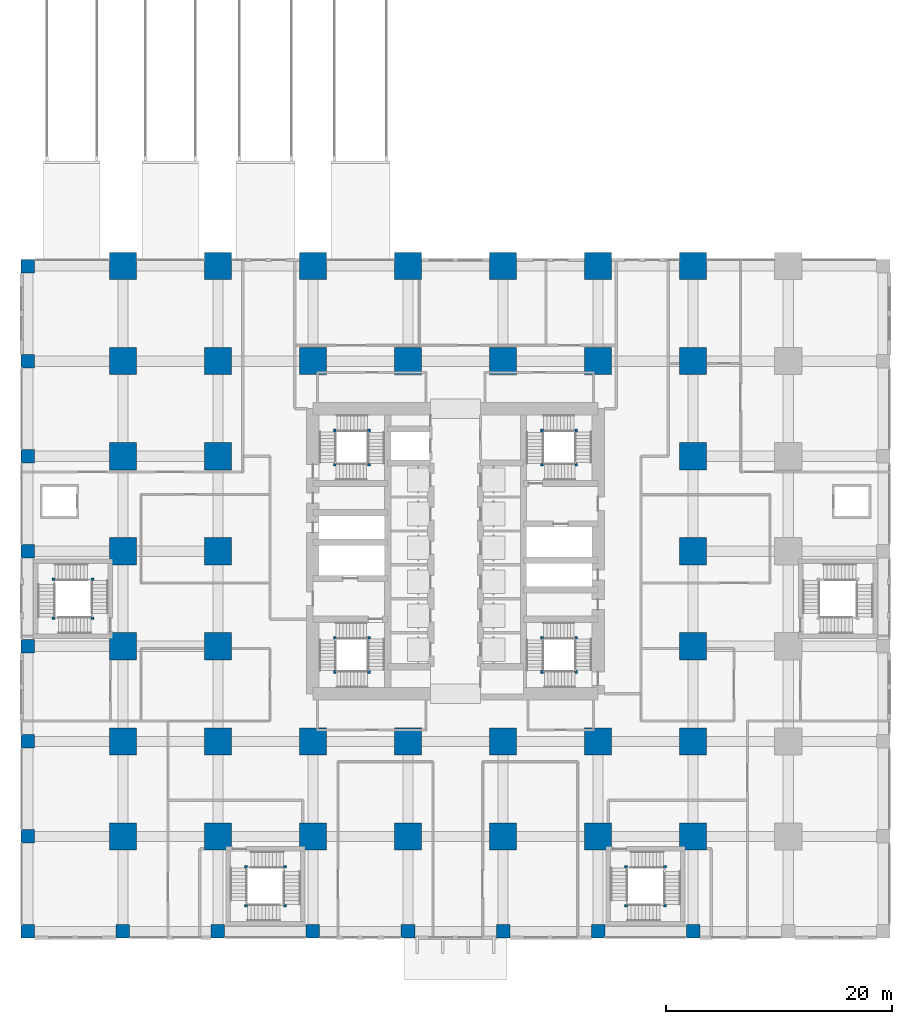
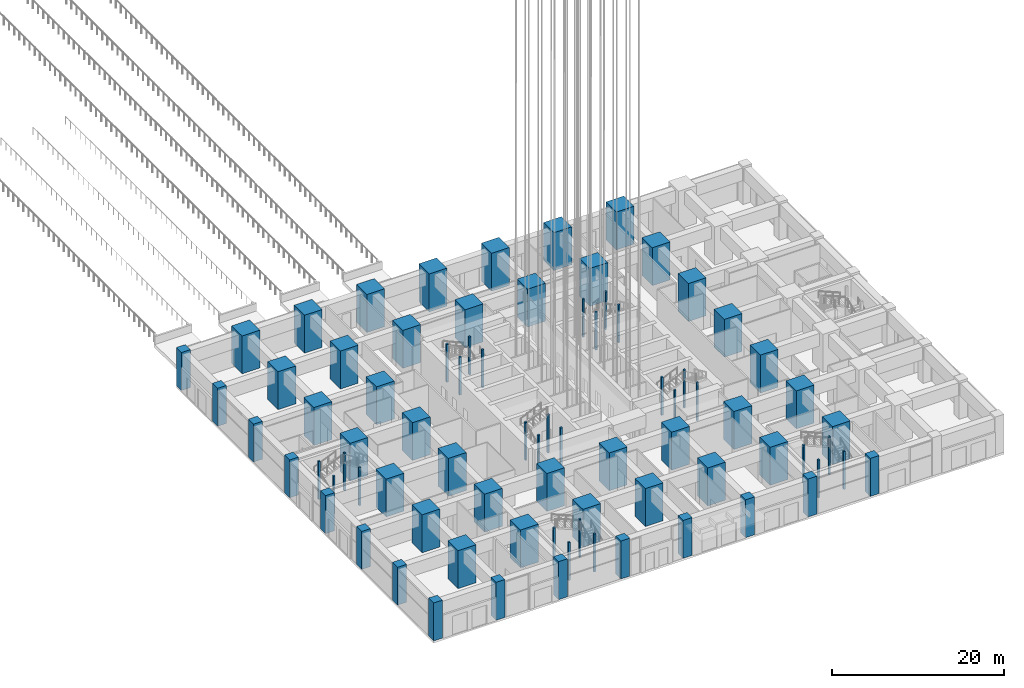
# One storey, part 1 of 81: 80 columns.
"""IFC4 building model written with IfcOpenShell, lengths in metres."""

from ifc_helpers import new_model, si_unit, direction, frame, origin, origin_2d, place, context, subcontext, project, spatial, rectangle, extrude, material, material_profile, profile_set, type_object, element, save


model = new_model("IFC4")

# Units and contexts
model_context = context("Model", 3, precision=1e-05, world=origin(), true_north=direction((0.0, 1.0)))
body_context = subcontext(model_context, "Body", "Model", "MODEL_VIEW")
ifc_project = project(units=[si_unit("LENGTHUNIT", "METRE"), si_unit("AREAUNIT", "SQUARE_METRE"), si_unit("VOLUMEUNIT", "CUBIC_METRE"), si_unit("PLANEANGLEUNIT", "RADIAN"), si_unit("MASSUNIT", "GRAM", prefix="KILO")], contexts=[model_context])

# Site, building, storey
site_placement = place(None, origin())
site = spatial("IfcSite", under=ifc_project, at=site_placement, CompositionType="ELEMENT")
building_placement = place(site_placement, origin())
building = spatial("IfcBuilding", under=site, at=building_placement, Name="Rekha Terrace Tower", CompositionType="ELEMENT")
storey_placement = place(building_placement, origin())
storey = spatial("IfcBuildingStorey", under=building, at=storey_placement, Name="L00", CompositionType="ELEMENT", Elevation=0.0)

# Columns
ifc_material_1 = material(Name="Concrete M70", Category="concrete")
ifc_material_profile_1 = material_profile(ifc_material_1, rectangle(XDim=2.39990234375, YDim=2.39990234375, at=origin_2d()), Name="RC 2400x2400")
ifc_profile_set_1 = profile_set([ifc_material_profile_1], Name="Concrete M70")
column_type_1 = type_object("IfcColumnType", Name="C1 2400x2400 column", PredefinedType="COLUMN", material=ifc_profile_set_1)
for number, where, z_axis, x_axis, name in (
    (1, (8.39990234375, 8.39990234375, 0.0), (0.0, 0.0, 1.0), (1.0, 0.0, 0.0), "Column C1 2/B L00"),
    (2, (8.39990234375, 16.800048828125, 0.0), (0.0, 0.0, 1.0), (1.0, 0.0, 0.0), "Column C1 2/C L00"),
    (3, (8.39990234375, 25.199951171875, 0.0), (0.0, 0.0, 1.0), (1.0, 0.0, 0.0), "Column C1 2/D L00"),
    (4, (8.39990234375, 33.60009765625, 0.0), (0.0, 0.0, 1.0), (1.0, 0.0, 0.0), "Column C1 2/E L00"),
    (5, (8.39990234375, 42.0, 0.0), (0.0, 0.0, 1.0), (1.0, 0.0, 0.0), "Column C1 2/F L00"),
    (6, (8.39990234375, 50.39990234375, 0.0), (0.0, 0.0, 1.0), (1.0, 0.0, 0.0), "Column C1 2/G L00"),
    (7, (8.39990234375, 58.800048828125, 0.0), (0.0, 0.0, 1.0), (1.0, 0.0, 0.0), "Column C1 2/H L00"),
    (8, (16.800048828125, 8.39990234375, 0.0), (0.0, 0.0, 1.0), (1.0, 0.0, 0.0), "Column C1 3/B L00"),
    (9, (16.800048828125, 16.800048828125, 0.0), (0.0, 0.0, 1.0), (1.0, 0.0, 0.0), "Column C1 3/C L00"),
    (10, (16.800048828125, 25.199951171875, 0.0), (0.0, 0.0, 1.0), (1.0, 0.0, 0.0), "Column C1 3/D L00"),
    (11, (16.800048828125, 33.60009765625, 0.0), (0.0, 0.0, 1.0), (1.0, 0.0, 0.0), "Column C1 3/E L00"),
    (12, (16.800048828125, 42.0, 0.0), (0.0, 0.0, 1.0), (1.0, 0.0, 0.0), "Column C1 3/F L00"),
    (13, (16.800048828125, 50.39990234375, 0.0), (0.0, 0.0, 1.0), (1.0, 0.0, 0.0), "Column C1 3/G L00"),
    (14, (16.800048828125, 58.800048828125, 0.0), (0.0, 0.0, 1.0), (1.0, 0.0, 0.0), "Column C1 3/H L00"),
    (15, (25.199951171875, 8.39990234375, 0.0), (0.0, 0.0, 1.0), (1.0, 0.0, 0.0), "Column C1 4/B L00"),
    (16, (25.199951171875, 16.800048828125, 0.0), (0.0, 0.0, 1.0), (1.0, 0.0, 0.0), "Column C1 4/C L00"),
    (17, (25.199951171875, 50.39990234375, 0.0), (0.0, 0.0, 1.0), (1.0, 0.0, 0.0), "Column C1 4/G L00"),
    (18, (25.199951171875, 58.800048828125, 0.0), (0.0, 0.0, 1.0), (1.0, 0.0, 0.0), "Column C1 4/H L00"),
    (19, (33.60009765625, 8.39990234375, 0.0), (0.0, 0.0, 1.0), (1.0, 0.0, 0.0), "Column C1 5/B L00"),
    (20, (33.60009765625, 16.800048828125, 0.0), (0.0, 0.0, 1.0), (1.0, 0.0, 0.0), "Column C1 5/C L00"),
    (21, (33.60009765625, 50.39990234375, 0.0), (0.0, 0.0, 1.0), (1.0, 0.0, 0.0), "Column C1 5/G L00"),
    (22, (33.60009765625, 58.800048828125, 0.0), (0.0, 0.0, 1.0), (1.0, 0.0, 0.0), "Column C1 5/H L00"),
    (23, (42.0, 8.39990234375, 0.0), (0.0, 0.0, 1.0), (1.0, 0.0, 0.0), "Column C1 6/B L00"),
    (24, (42.0, 16.800048828125, 0.0), (0.0, 0.0, 1.0), (1.0, 0.0, 0.0), "Column C1 6/C L00"),
    (25, (42.0, 50.39990234375, 0.0), (0.0, 0.0, 1.0), (1.0, 0.0, 0.0), "Column C1 6/G L00"),
    (26, (42.0, 58.800048828125, 0.0), (0.0, 0.0, 1.0), (1.0, 0.0, 0.0), "Column C1 6/H L00"),
    (27, (50.39990234375, 8.39990234375, 0.0), (0.0, 0.0, 1.0), (1.0, 0.0, 0.0), "Column C1 7/B L00"),
    (28, (50.39990234375, 16.800048828125, 0.0), (0.0, 0.0, 1.0), (1.0, 0.0, 0.0), "Column C1 7/C L00"),
    (29, (50.39990234375, 50.39990234375, 0.0), (0.0, 0.0, 1.0), (1.0, 0.0, 0.0), "Column C1 7/G L00"),
    (30, (50.39990234375, 58.800048828125, 0.0), (0.0, 0.0, 1.0), (1.0, 0.0, 0.0), "Column C1 7/H L00"),
    (31, (58.800048828125, 8.39990234375, 0.0), (0.0, 0.0, 1.0), (1.0, 0.0, 0.0), "Column C1 8/B L00"),
    (32, (58.800048828125, 16.800048828125, 0.0), (0.0, 0.0, 1.0), (1.0, 0.0, 0.0), "Column C1 8/C L00"),
    (33, (58.800048828125, 25.199951171875, 0.0), (0.0, 0.0, 1.0), (1.0, 0.0, 0.0), "Column C1 8/D L00"),
    (34, (58.800048828125, 33.60009765625, 0.0), (0.0, 0.0, 1.0), (1.0, 0.0, 0.0), "Column C1 8/E L00"),
    (35, (58.800048828125, 42.0, 0.0), (0.0, 0.0, 1.0), (1.0, 0.0, 0.0), "Column C1 8/F L00"),
    (36, (58.800048828125, 50.39990234375, 0.0), (0.0, 0.0, 1.0), (1.0, 0.0, 0.0), "Column C1 8/G L00"),
    (37, (58.800048828125, 58.800048828125, 0.0), (0.0, 0.0, 1.0), (1.0, 0.0, 0.0), "Column C1 8/H L00"),
):
    element("IfcColumn", number, at=place(storey_placement, frame(where, z_axis=z_axis, x_axis=x_axis)), inside=storey, type_object=column_type_1, Name=name, PredefinedType="COLUMN", context=body_context, shape_type="SweptSolid", body=[
        extrude(rectangle(XDim=2.39990234375, YDim=2.39990234375, at=origin_2d()), origin(), (0.0, 0.0, 1.0), 5.39990234375),
    ])
ifc_material_2 = material(Name="Concrete M60", Category="concrete")
ifc_material_profile_2 = material_profile(ifc_material_2, rectangle(XDim=1.199951171875, YDim=1.199951171875, at=origin_2d()), Name="RC 1200x1200")
ifc_profile_set_2 = profile_set([ifc_material_profile_2], Name="Concrete M60")
column_type_2 = type_object("IfcColumnType", Name="C6 1200x1200 podium column", PredefinedType="COLUMN", material=ifc_profile_set_2)
for number, where, z_axis, x_axis, name in (
    (38, (0.0, 0.0, 0.0), (0.0, 0.0, 1.0), (1.0, 0.0, 0.0), "Column C6 1/A L00"),
    (39, (0.0, 8.39990234375, 0.0), (0.0, 0.0, 1.0), (1.0, 0.0, 0.0), "Column C6 1/B L00"),
    (40, (0.0, 16.800048828125, 0.0), (0.0, 0.0, 1.0), (1.0, 0.0, 0.0), "Column C6 1/C L00"),
    (41, (0.0, 25.199951171875, 0.0), (0.0, 0.0, 1.0), (1.0, 0.0, 0.0), "Column C6 1/D L00"),
    (42, (0.0, 33.60009765625, 0.0), (0.0, 0.0, 1.0), (1.0, 0.0, 0.0), "Column C6 1/E L00"),
    (43, (0.0, 42.0, 0.0), (0.0, 0.0, 1.0), (1.0, 0.0, 0.0), "Column C6 1/F L00"),
    (44, (0.0, 50.39990234375, 0.0), (0.0, 0.0, 1.0), (1.0, 0.0, 0.0), "Column C6 1/G L00"),
    (45, (0.0, 58.800048828125, 0.0), (0.0, 0.0, 1.0), (1.0, 0.0, 0.0), "Column C6 1/H L00"),
    (46, (8.39990234375, 0.0, 0.0), (0.0, 0.0, 1.0), (1.0, 0.0, 0.0), "Column C6 2/A L00"),
    (47, (16.800048828125, 0.0, 0.0), (0.0, 0.0, 1.0), (1.0, 0.0, 0.0), "Column C6 3/A L00"),
    (48, (25.199951171875, 0.0, 0.0), (0.0, 0.0, 1.0), (1.0, 0.0, 0.0), "Column C6 4/A L00"),
    (49, (33.60009765625, 0.0, 0.0), (0.0, 0.0, 1.0), (1.0, 0.0, 0.0), "Column C6 5/A L00"),
    (50, (42.0, 0.0, 0.0), (0.0, 0.0, 1.0), (1.0, 0.0, 0.0), "Column C6 6/A L00"),
    (51, (50.39990234375, 0.0, 0.0), (0.0, 0.0, 1.0), (1.0, 0.0, 0.0), "Column C6 7/A L00"),
    (52, (58.800048828125, 0.0, 0.0), (0.0, 0.0, 1.0), (1.0, 0.0, 0.0), "Column C6 8/A L00"),
):
    element("IfcColumn", number, at=place(storey_placement, frame(where, z_axis=z_axis, x_axis=x_axis)), inside=storey, type_object=column_type_2, Name=name, PredefinedType="COLUMN", context=body_context, shape_type="SweptSolid", body=[
        extrude(rectangle(XDim=1.199951171875, YDim=1.199951171875, at=origin_2d()), origin(), (0.0, 0.0, 1.0), 5.39990234375),
    ])
ifc_material_profile_3 = material_profile(ifc_material_2, rectangle(XDim=0.25, YDim=0.25, at=origin_2d()), Name="RC 250x250")
ifc_profile_set_3 = profile_set([ifc_material_profile_3], Name="Concrete M60")
column_type_3 = type_object("IfcColumnType", Name="NP1 250x250 stair newel post", PredefinedType="COLUMN", material=ifc_profile_set_3)
for number, where, z_axis, x_axis, name in (
    (53, (5.72509765625, 27.675048828125, 0.0), (0.0, 0.0, 1.0), (1.0, 0.0, 0.0), "Stair newel post NP1"),
    (54, (2.27490234375, 27.675048828125, 0.0), (0.0, 0.0, 1.0), (1.0, 0.0, 0.0), "Stair newel post NP1"),
    (55, (2.27490234375, 31.125, 0.0), (0.0, 0.0, 1.0), (1.0, 0.0, 0.0), "Stair newel post NP1"),
    (56, (5.72509765625, 31.125, 0.0), (0.0, 0.0, 1.0), (1.0, 0.0, 0.0), "Stair newel post NP1"),
    (57, (19.27490234375, 5.72509765625, 0.0), (0.0, 0.0, 1.0), (1.0, 0.0, 0.0), "Stair newel post NP1"),
    (58, (19.27490234375, 2.27490234375, 0.0), (0.0, 0.0, 1.0), (1.0, 0.0, 0.0), "Stair newel post NP1"),
    (59, (22.72509765625, 2.27490234375, 0.0), (0.0, 0.0, 1.0), (1.0, 0.0, 0.0), "Stair newel post NP1"),
    (60, (22.72509765625, 5.72509765625, 0.0), (0.0, 0.0, 1.0), (1.0, 0.0, 0.0), "Stair newel post NP1"),
    (61, (52.875, 5.72509765625, 0.0), (0.0, 0.0, 1.0), (1.0, 0.0, 0.0), "Stair newel post NP1"),
    (62, (52.875, 2.27490234375, 0.0), (0.0, 0.0, 1.0), (1.0, 0.0, 0.0), "Stair newel post NP1"),
    (63, (56.324951171875, 2.27490234375, 0.0), (0.0, 0.0, 1.0), (1.0, 0.0, 0.0), "Stair newel post NP1"),
    (64, (56.324951171875, 5.72509765625, 0.0), (0.0, 0.0, 1.0), (1.0, 0.0, 0.0), "Stair newel post NP1"),
    (65, (30.14990234375, 25.949951171875, 0.0), (0.0, 0.0, 1.0), (1.0, 0.0, 0.0), "Stair newel post NP1"),
    (66, (30.14990234375, 22.925048828125, 0.0), (0.0, 0.0, 1.0), (1.0, 0.0, 0.0), "Stair newel post NP1"),
    (67, (27.125, 22.925048828125, 0.0), (0.0, 0.0, 1.0), (1.0, 0.0, 0.0), "Stair newel post NP1"),
    (68, (27.125, 25.949951171875, 0.0), (0.0, 0.0, 1.0), (1.0, 0.0, 0.0), "Stair newel post NP1"),
    (69, (45.449951171875, 41.25, 0.0), (0.0, 0.0, 1.0), (1.0, 0.0, 0.0), "Stair newel post NP1"),
    (70, (45.449951171875, 44.27490234375, 0.0), (0.0, 0.0, 1.0), (1.0, 0.0, 0.0), "Stair newel post NP1"),
    (71, (48.47509765625, 44.27490234375, 0.0), (0.0, 0.0, 1.0), (1.0, 0.0, 0.0), "Stair newel post NP1"),
    (72, (48.47509765625, 41.25, 0.0), (0.0, 0.0, 1.0), (1.0, 0.0, 0.0), "Stair newel post NP1"),
    (73, (48.47509765625, 22.925048828125, 0.0), (0.0, 0.0, 1.0), (1.0, 0.0, 0.0), "Stair newel post NP1"),
    (74, (45.449951171875, 22.925048828125, 0.0), (0.0, 0.0, 1.0), (1.0, 0.0, 0.0), "Stair newel post NP1"),
    (75, (45.449951171875, 25.949951171875, 0.0), (0.0, 0.0, 1.0), (1.0, 0.0, 0.0), "Stair newel post NP1"),
    (76, (48.47509765625, 25.949951171875, 0.0), (0.0, 0.0, 1.0), (1.0, 0.0, 0.0), "Stair newel post NP1"),
    (77, (27.125, 41.25, 0.0), (0.0, 0.0, 1.0), (1.0, 0.0, 0.0), "Stair newel post NP1"),
    (78, (30.14990234375, 41.25, 0.0), (0.0, 0.0, 1.0), (1.0, 0.0, 0.0), "Stair newel post NP1"),
    (79, (30.14990234375, 44.27490234375, 0.0), (0.0, 0.0, 1.0), (1.0, 0.0, 0.0), "Stair newel post NP1"),
    (80, (27.125, 44.27490234375, 0.0), (0.0, 0.0, 1.0), (1.0, 0.0, 0.0), "Stair newel post NP1"),
):
    element("IfcColumn", number, at=place(storey_placement, frame(where, z_axis=z_axis, x_axis=x_axis)), inside=storey, type_object=column_type_3, Name=name, PredefinedType="COLUMN", context=body_context, shape_type="SweptSolid", body=[
        extrude(rectangle(XDim=0.25, YDim=0.25, at=origin_2d()), origin(), (0.0, 0.0, 1.0), 5.39990234375),
    ])

save(model, "model.ifc")
